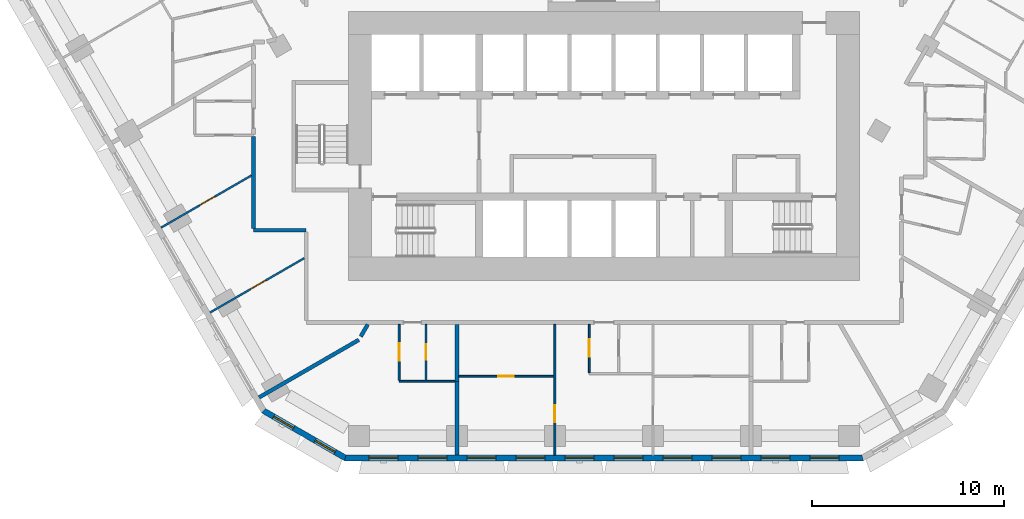
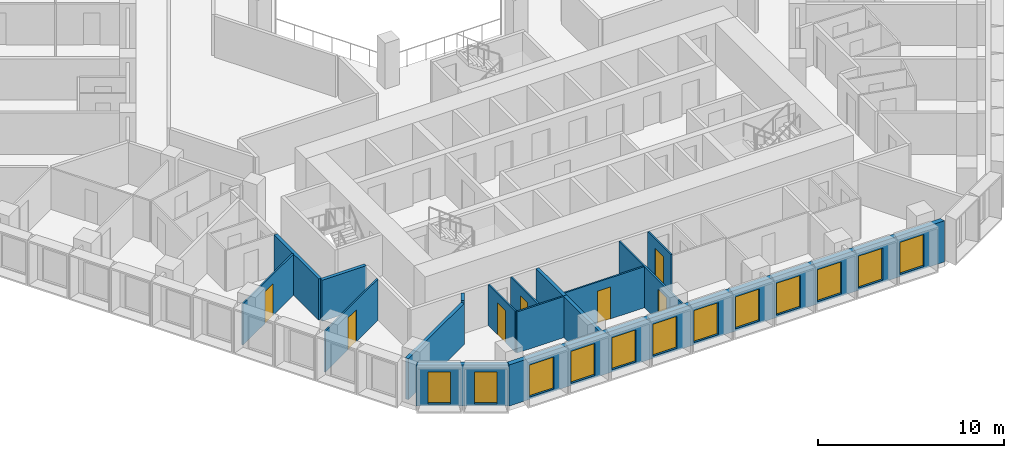
# One storey, part 3 of 21: 16 walls, 12 windows, 7 doors, 19 openings.
"""IFC4 building model written with IfcOpenShell, lengths in metres."""

from ifc_helpers import new_model, si_unit, direction, frame, frame_2d, origin, place, context, subcontext, project, spatial, polyline, rectangle, outline, extrude, material, layer, layer_set, type_object, element, fill, save


model = new_model("IFC4")

# Units and contexts
model_context = context("Model", 3, precision=1e-05, world=origin(), true_north=direction((0.0, 1.0)))
body_context = subcontext(model_context, "Body", "Model", "MODEL_VIEW")
ifc_project = project(units=[si_unit("LENGTHUNIT", "METRE"), si_unit("AREAUNIT", "SQUARE_METRE"), si_unit("VOLUMEUNIT", "CUBIC_METRE"), si_unit("PLANEANGLEUNIT", "RADIAN"), si_unit("MASSUNIT", "GRAM", prefix="KILO")], contexts=[model_context])

# Site, building, storey
site_placement = place(None, origin())
site = spatial("IfcSite", under=ifc_project, at=site_placement, CompositionType="ELEMENT")
building_placement = place(site_placement, origin())
building = spatial("IfcBuilding", under=site, at=building_placement, Name="Beryl Residences", CompositionType="ELEMENT")
storey_placement = place(building_placement, frame((0.0, 0.0, 47.39990234375)))
storey = spatial("IfcBuildingStorey", under=building, at=storey_placement, Name="L14", CompositionType="ELEMENT", Elevation=47.39990234375)

# Wall, openings, windows
ifc_material_1 = material(Name="Composite metal panel with mineral wool insulation")
ifc_layer_1 = layer(ifc_material_1, 0.300048828125)
ifc_layer_set_1 = layer_set([ifc_layer_1], Name="ES1 pale metal composite panel wall 300 mm")
wall_type_1 = type_object("IfcWallType", Name="ES1 pale metal composite panel wall 300 mm", PredefinedType="SOLIDWALL", material=ifc_layer_set_1)
wall_1_placement = place(storey_placement, frame((-17.764892578125, -25.77001953125, 0.0), z_axis=(0.0, 0.0, 1.0), x_axis=(0.866010750942, -0.50002537861, 0.0)))
wall_1 = element("IfcWall", 1, at=wall_1_placement, inside=storey, type_object=wall_type_1, Name="ES1 external wall L14 SW-S", PredefinedType="SOLIDWALL", context=body_context, shape_type="SweptSolid", body=[
    extrude(outline(polyline([(0.0, -0.14990234375), (4.999755859375, -0.14990234375), (4.91943359375, 0.14990234375), (0.080322265625, 0.14990234375), (0.0, -0.14990234375)])), origin(), (0.0, 0.0, 1.0), 2.7001953125),
])
opening_1_placement = place(wall_1_placement, frame((0.64990234375, 0.0, 0.14990234375)))
opening_1 = element("IfcOpeningElement", 2, at=opening_1_placement, cuts=wall_1, Name="Opening W2", PredefinedType="OPENING", context=body_context, shape_type="SweptSolid", body=[
    extrude(rectangle(XDim=1.199951171875, YDim=2.10009765625, at=frame_2d((0.60009765625, 1.050048828125))), frame((0.0, 0.159912109375, 0.0), z_axis=(0.0, -1.0, 0.0), x_axis=(1.0, 0.0, 0.0)), (0.0, 0.0, 1.0), 0.320068359375),
])
opening_2_placement = place(wall_1_placement, frame((3.14990234375, 0.0, 0.14990234375)))
opening_2 = element("IfcOpeningElement", 3, at=opening_2_placement, cuts=wall_1, Name="Opening W2", PredefinedType="OPENING", context=body_context, shape_type="SweptSolid", body=[
    extrude(rectangle(XDim=1.199951171875, YDim=2.10009765625, at=frame_2d((0.60009765625, 1.050048828125))), frame((0.0, 0.159912109375, 0.0), z_axis=(0.0, -1.0, 0.0), x_axis=(1.0, 0.0, 0.0)), (0.0, 0.0, 1.0), 0.320068359375),
])
ifc_material_2 = material(Name="Aluminium and clear glass", Category="aluminium")
window_type_1 = type_object("IfcWindowType", Name="W2 chamfer window 1200 x 2100 mm", PartitioningType="SINGLE_PANEL", PredefinedType="WINDOW", material=ifc_material_2)
window_1_placement = place(opening_1_placement, origin())
window_1 = element("IfcWindow", 4, at=window_1_placement, inside=storey, type_object=window_type_1, Name="W2 window L14 SW-S 1", OverallHeight=2.10009765625, OverallWidth=1.199951171875, PartitioningType="SINGLE_PANEL", PredefinedType="WINDOW", context=body_context, shape_type="SweptSolid", body=[
    extrude(rectangle(XDim=1.199951171875, YDim=2.10009765625, at=frame_2d((0.60009765625, 1.050048828125))), frame((0.0, 0.030029296875, 0.0), z_axis=(0.0, -1.0, 0.0), x_axis=(1.0, 0.0, 0.0)), (0.0, 0.0, 1.0), 0.06005859375),
])
fill(opening_1, window_1)
window_2_placement = place(opening_2_placement, origin())
window_2 = element("IfcWindow", 5, at=window_2_placement, inside=storey, type_object=window_type_1, Name="W2 window L14 SW-S 2", OverallHeight=2.10009765625, OverallWidth=1.199951171875, PartitioningType="SINGLE_PANEL", PredefinedType="WINDOW", context=body_context, shape_type="SweptSolid", body=[
    extrude(rectangle(XDim=1.199951171875, YDim=2.10009765625, at=frame_2d((0.60009765625, 1.050048828125))), frame((0.0, 0.030029296875, 0.0), z_axis=(0.0, -1.0, 0.0), x_axis=(1.0, 0.0, 0.0)), (0.0, 0.0, 1.0), 0.06005859375),
])
fill(opening_2, window_2)

wall_2_placement = place(storey_placement, frame((-13.510009765625, -28.25, 0.0), z_axis=(0.0, 0.0, 1.0), x_axis=(1.0, 0.0, 0.0)))
wall_2 = element("IfcWall", 6, at=wall_2_placement, inside=storey, type_object=wall_type_1, Name="ES1 external wall L14 S", PredefinedType="SOLIDWALL", context=body_context, shape_type="SweptSolid", body=[
    extrude(outline(polyline([(0.0, -0.14990234375), (27.02001953125, -0.14990234375), (26.939697265625, 0.14990234375), (0.080322265625, 0.14990234375), (0.0, -0.14990234375)])), origin(), (0.0, 0.0, 1.0), 2.7001953125),
])
opening_3_placement = place(wall_2_placement, frame((1.277099609375, 0.0, 0.14990234375)))
opening_3 = element("IfcOpeningElement", 7, at=opening_3_placement, cuts=wall_2, Name="Opening W1", PredefinedType="OPENING", context=body_context, shape_type="SweptSolid", body=[
    extrude(rectangle(XDim=1.5, YDim=2.10009765625, at=frame_2d((0.75, 1.050048828125))), frame((0.0, 0.159912109375, 0.0), z_axis=(0.0, -1.0, 0.0), x_axis=(1.0, 0.0, 0.0)), (0.0, 0.0, 1.0), 0.320068359375),
])
opening_4_placement = place(wall_2_placement, frame((3.8291015625, 0.0, 0.14990234375)))
opening_4 = element("IfcOpeningElement", 8, at=opening_4_placement, cuts=wall_2, Name="Opening W1", PredefinedType="OPENING", context=body_context, shape_type="SweptSolid", body=[
    extrude(rectangle(XDim=1.5, YDim=2.10009765625, at=frame_2d((0.75, 1.050048828125))), frame((0.0, 0.159912109375, 0.0), z_axis=(0.0, -1.0, 0.0), x_axis=(1.0, 0.0, 0.0)), (0.0, 0.0, 1.0), 0.320068359375),
])
opening_5_placement = place(wall_2_placement, frame((6.381103515625, 0.0, 0.14990234375)))
opening_5 = element("IfcOpeningElement", 9, at=opening_5_placement, cuts=wall_2, Name="Opening W1", PredefinedType="OPENING", context=body_context, shape_type="SweptSolid", body=[
    extrude(rectangle(XDim=1.5, YDim=2.10009765625, at=frame_2d((0.75, 1.050048828125))), frame((0.0, 0.159912109375, 0.0), z_axis=(0.0, -1.0, 0.0), x_axis=(1.0, 0.0, 0.0)), (0.0, 0.0, 1.0), 0.320068359375),
])
opening_6_placement = place(wall_2_placement, frame((8.93310546875, 0.0, 0.14990234375)))
opening_6 = element("IfcOpeningElement", 10, at=opening_6_placement, cuts=wall_2, Name="Opening W1", PredefinedType="OPENING", context=body_context, shape_type="SweptSolid", body=[
    extrude(rectangle(XDim=1.5, YDim=2.10009765625, at=frame_2d((0.75, 1.050048828125))), frame((0.0, 0.159912109375, 0.0), z_axis=(0.0, -1.0, 0.0), x_axis=(1.0, 0.0, 0.0)), (0.0, 0.0, 1.0), 0.320068359375),
])
opening_7_placement = place(wall_2_placement, frame((11.485107421875, 0.0, 0.14990234375)))
opening_7 = element("IfcOpeningElement", 11, at=opening_7_placement, cuts=wall_2, Name="Opening W1", PredefinedType="OPENING", context=body_context, shape_type="SweptSolid", body=[
    extrude(rectangle(XDim=1.5, YDim=2.10009765625, at=frame_2d((0.75, 1.050048828125))), frame((0.0, 0.159912109375, 0.0), z_axis=(0.0, -1.0, 0.0), x_axis=(1.0, 0.0, 0.0)), (0.0, 0.0, 1.0), 0.320068359375),
])
opening_8_placement = place(wall_2_placement, frame((14.037109375, 0.0, 0.14990234375)))
opening_8 = element("IfcOpeningElement", 12, at=opening_8_placement, cuts=wall_2, Name="Opening W1", PredefinedType="OPENING", context=body_context, shape_type="SweptSolid", body=[
    extrude(rectangle(XDim=1.5, YDim=2.10009765625, at=frame_2d((0.75, 1.050048828125))), frame((0.0, 0.159912109375, 0.0), z_axis=(0.0, -1.0, 0.0), x_axis=(1.0, 0.0, 0.0)), (0.0, 0.0, 1.0), 0.320068359375),
])
opening_9_placement = place(wall_2_placement, frame((16.589111328125, 0.0, 0.14990234375)))
opening_9 = element("IfcOpeningElement", 13, at=opening_9_placement, cuts=wall_2, Name="Opening W1", PredefinedType="OPENING", context=body_context, shape_type="SweptSolid", body=[
    extrude(rectangle(XDim=1.5, YDim=2.10009765625, at=frame_2d((0.75, 1.050048828125))), frame((0.0, 0.159912109375, 0.0), z_axis=(0.0, -1.0, 0.0), x_axis=(1.0, 0.0, 0.0)), (0.0, 0.0, 1.0), 0.320068359375),
])
opening_10_placement = place(wall_2_placement, frame((19.14111328125, 0.0, 0.14990234375)))
opening_10 = element("IfcOpeningElement", 14, at=opening_10_placement, cuts=wall_2, Name="Opening W1", PredefinedType="OPENING", context=body_context, shape_type="SweptSolid", body=[
    extrude(rectangle(XDim=1.5, YDim=2.10009765625, at=frame_2d((0.75, 1.050048828125))), frame((0.0, 0.159912109375, 0.0), z_axis=(0.0, -1.0, 0.0), x_axis=(1.0, 0.0, 0.0)), (0.0, 0.0, 1.0), 0.320068359375),
])
opening_11_placement = place(wall_2_placement, frame((21.693115234375, 0.0, 0.14990234375)))
opening_11 = element("IfcOpeningElement", 15, at=opening_11_placement, cuts=wall_2, Name="Opening W1", PredefinedType="OPENING", context=body_context, shape_type="SweptSolid", body=[
    extrude(rectangle(XDim=1.5, YDim=2.10009765625, at=frame_2d((0.75, 1.050048828125))), frame((0.0, 0.159912109375, 0.0), z_axis=(0.0, -1.0, 0.0), x_axis=(1.0, 0.0, 0.0)), (0.0, 0.0, 1.0), 0.320068359375),
])
opening_12_placement = place(wall_2_placement, frame((24.2451171875, 0.0, 0.14990234375)))
opening_12 = element("IfcOpeningElement", 16, at=opening_12_placement, cuts=wall_2, Name="Opening W1", PredefinedType="OPENING", context=body_context, shape_type="SweptSolid", body=[
    extrude(rectangle(XDim=1.5, YDim=2.10009765625, at=frame_2d((0.75, 1.050048828125))), frame((0.0, 0.159912109375, 0.0), z_axis=(0.0, -1.0, 0.0), x_axis=(1.0, 0.0, 0.0)), (0.0, 0.0, 1.0), 0.320068359375),
])
ifc_material_3 = material(Name="Aluminium and clear glass", Category="aluminium")
window_type_2 = type_object("IfcWindowType", Name="W1 cell window 1500 x 2100 mm", PartitioningType="SINGLE_PANEL", PredefinedType="WINDOW", material=ifc_material_3)
window_3_placement = place(opening_3_placement, origin())
window_3 = element("IfcWindow", 17, at=window_3_placement, inside=storey, type_object=window_type_2, Name="W1 window L14 S 1", OverallHeight=2.10009765625, OverallWidth=1.5, PartitioningType="SINGLE_PANEL", PredefinedType="WINDOW", context=body_context, shape_type="SweptSolid", body=[
    extrude(rectangle(XDim=1.5, YDim=2.10009765625, at=frame_2d((0.75, 1.050048828125))), frame((0.0, 0.030029296875, 0.0), z_axis=(0.0, -1.0, 0.0), x_axis=(1.0, 0.0, 0.0)), (0.0, 0.0, 1.0), 0.06005859375),
])
fill(opening_3, window_3)
window_4_placement = place(opening_4_placement, origin())
window_4 = element("IfcWindow", 18, at=window_4_placement, inside=storey, type_object=window_type_2, Name="W1 window L14 S 2", OverallHeight=2.10009765625, OverallWidth=1.5, PartitioningType="SINGLE_PANEL", PredefinedType="WINDOW", context=body_context, shape_type="SweptSolid", body=[
    extrude(rectangle(XDim=1.5, YDim=2.10009765625, at=frame_2d((0.75, 1.050048828125))), frame((0.0, 0.030029296875, 0.0), z_axis=(0.0, -1.0, 0.0), x_axis=(1.0, 0.0, 0.0)), (0.0, 0.0, 1.0), 0.06005859375),
])
fill(opening_4, window_4)
window_5_placement = place(opening_5_placement, origin())
window_5 = element("IfcWindow", 19, at=window_5_placement, inside=storey, type_object=window_type_2, Name="W1 window L14 S 3", OverallHeight=2.10009765625, OverallWidth=1.5, PartitioningType="SINGLE_PANEL", PredefinedType="WINDOW", context=body_context, shape_type="SweptSolid", body=[
    extrude(rectangle(XDim=1.5, YDim=2.10009765625, at=frame_2d((0.75, 1.050048828125))), frame((0.0, 0.030029296875, 0.0), z_axis=(0.0, -1.0, 0.0), x_axis=(1.0, 0.0, 0.0)), (0.0, 0.0, 1.0), 0.06005859375),
])
fill(opening_5, window_5)
window_6_placement = place(opening_6_placement, origin())
window_6 = element("IfcWindow", 20, at=window_6_placement, inside=storey, type_object=window_type_2, Name="W1 window L14 S 4", OverallHeight=2.10009765625, OverallWidth=1.5, PartitioningType="SINGLE_PANEL", PredefinedType="WINDOW", context=body_context, shape_type="SweptSolid", body=[
    extrude(rectangle(XDim=1.5, YDim=2.10009765625, at=frame_2d((0.75, 1.050048828125))), frame((0.0, 0.030029296875, 0.0), z_axis=(0.0, -1.0, 0.0), x_axis=(1.0, 0.0, 0.0)), (0.0, 0.0, 1.0), 0.06005859375),
])
fill(opening_6, window_6)
window_7_placement = place(opening_7_placement, origin())
window_7 = element("IfcWindow", 21, at=window_7_placement, inside=storey, type_object=window_type_2, Name="W1 window L14 S 5", OverallHeight=2.10009765625, OverallWidth=1.5, PartitioningType="SINGLE_PANEL", PredefinedType="WINDOW", context=body_context, shape_type="SweptSolid", body=[
    extrude(rectangle(XDim=1.5, YDim=2.10009765625, at=frame_2d((0.75, 1.050048828125))), frame((0.0, 0.030029296875, 0.0), z_axis=(0.0, -1.0, 0.0), x_axis=(1.0, 0.0, 0.0)), (0.0, 0.0, 1.0), 0.06005859375),
])
fill(opening_7, window_7)
window_8_placement = place(opening_8_placement, origin())
window_8 = element("IfcWindow", 22, at=window_8_placement, inside=storey, type_object=window_type_2, Name="W1 window L14 S 6", OverallHeight=2.10009765625, OverallWidth=1.5, PartitioningType="SINGLE_PANEL", PredefinedType="WINDOW", context=body_context, shape_type="SweptSolid", body=[
    extrude(rectangle(XDim=1.5, YDim=2.10009765625, at=frame_2d((0.75, 1.050048828125))), frame((0.0, 0.030029296875, 0.0), z_axis=(0.0, -1.0, 0.0), x_axis=(1.0, 0.0, 0.0)), (0.0, 0.0, 1.0), 0.06005859375),
])
fill(opening_8, window_8)
window_9_placement = place(opening_9_placement, origin())
window_9 = element("IfcWindow", 23, at=window_9_placement, inside=storey, type_object=window_type_2, Name="W1 window L14 S 7", OverallHeight=2.10009765625, OverallWidth=1.5, PartitioningType="SINGLE_PANEL", PredefinedType="WINDOW", context=body_context, shape_type="SweptSolid", body=[
    extrude(rectangle(XDim=1.5, YDim=2.10009765625, at=frame_2d((0.75, 1.050048828125))), frame((0.0, 0.030029296875, 0.0), z_axis=(0.0, -1.0, 0.0), x_axis=(1.0, 0.0, 0.0)), (0.0, 0.0, 1.0), 0.06005859375),
])
fill(opening_9, window_9)
window_10_placement = place(opening_10_placement, origin())
window_10 = element("IfcWindow", 24, at=window_10_placement, inside=storey, type_object=window_type_2, Name="W1 window L14 S 8", OverallHeight=2.10009765625, OverallWidth=1.5, PartitioningType="SINGLE_PANEL", PredefinedType="WINDOW", context=body_context, shape_type="SweptSolid", body=[
    extrude(rectangle(XDim=1.5, YDim=2.10009765625, at=frame_2d((0.75, 1.050048828125))), frame((0.0, 0.030029296875, 0.0), z_axis=(0.0, -1.0, 0.0), x_axis=(1.0, 0.0, 0.0)), (0.0, 0.0, 1.0), 0.06005859375),
])
fill(opening_10, window_10)
window_11_placement = place(opening_11_placement, origin())
window_11 = element("IfcWindow", 25, at=window_11_placement, inside=storey, type_object=window_type_2, Name="W1 window L14 S 9", OverallHeight=2.10009765625, OverallWidth=1.5, PartitioningType="SINGLE_PANEL", PredefinedType="WINDOW", context=body_context, shape_type="SweptSolid", body=[
    extrude(rectangle(XDim=1.5, YDim=2.10009765625, at=frame_2d((0.75, 1.050048828125))), frame((0.0, 0.030029296875, 0.0), z_axis=(0.0, -1.0, 0.0), x_axis=(1.0, 0.0, 0.0)), (0.0, 0.0, 1.0), 0.06005859375),
])
fill(opening_11, window_11)
window_12_placement = place(opening_12_placement, origin())
window_12 = element("IfcWindow", 26, at=window_12_placement, inside=storey, type_object=window_type_2, Name="W1 window L14 S 10", OverallHeight=2.10009765625, OverallWidth=1.5, PartitioningType="SINGLE_PANEL", PredefinedType="WINDOW", context=body_context, shape_type="SweptSolid", body=[
    extrude(rectangle(XDim=1.5, YDim=2.10009765625, at=frame_2d((0.75, 1.050048828125))), frame((0.0, 0.030029296875, 0.0), z_axis=(0.0, -1.0, 0.0), x_axis=(1.0, 0.0, 0.0)), (0.0, 0.0, 1.0), 0.06005859375),
])
fill(opening_12, window_12)

# Wall, opening, door
ifc_material_4 = material(Name="Gypsum board partition on steel studs", Category="steel")
ifc_layer_2 = layer(ifc_material_4, 0.10009765625)
ifc_layer_set_2 = layer_set([ifc_layer_2], Name="PT1 partition 100 mm gypsum board on steel studs")
wall_type_2 = type_object("IfcWallType", Name="PT1 partition 100 mm gypsum board on steel studs", PredefinedType="PARTITIONING", material=ifc_layer_set_2)
wall_3_placement = place(storey_placement, frame((-0.764892578125, -21.300048828125, 0.0), z_axis=(0.0, 0.0, 1.0), x_axis=(0.0, -1.0, 0.0)))
wall_3 = element("IfcWall", 27, at=wall_3_placement, inside=storey, type_object=wall_type_2, Name="Wall PT1 L14 010", PredefinedType="PARTITIONING", context=body_context, shape_type="SweptSolid", body=[
    extrude(rectangle(XDim=2.509033203125, YDim=0.10009765625, at=frame_2d((1.25439453125, 0.0))), origin(), (0.0, 0.0, 1.0), 2.7001953125),
])
opening_13_placement = place(wall_3_placement, frame((0.780029296875, 0.0, 0.0)))
opening_13 = element("IfcOpeningElement", 28, at=opening_13_placement, cuts=wall_3, Name="Opening D0227", PredefinedType="OPENING", context=body_context, shape_type="SweptSolid", body=[
    extrude(rectangle(XDim=0.89990234375, YDim=2.10009765625, at=frame_2d((0.449951171875, 1.050048828125))), frame((0.0, 0.06005859375, 0.0), z_axis=(0.0, -1.0, 0.0), x_axis=(1.0, 0.0, 0.0)), (0.0, 0.0, 1.0), 0.1201171875),
])
ifc_material_5 = material(Name="Timber door leaf", Category="wood")
door_type_1 = type_object("IfcDoorType", Name="D2 room door 900 x 2100 mm", OperationType="SINGLE_SWING_LEFT", PredefinedType="DOOR", material=ifc_material_5)
door_1_placement = place(opening_13_placement, origin())
door_1 = element("IfcDoor", 29, at=door_1_placement, inside=storey, type_object=door_type_1, Name="Door D0227 L14 001", OperationType="SINGLE_SWING_LEFT", OverallHeight=2.10009765625, OverallWidth=0.89990234375, PredefinedType="DOOR", context=body_context, shape_type="SweptSolid", body=[
    extrude(rectangle(XDim=0.89990234375, YDim=2.10009765625, at=frame_2d((0.449951171875, 1.050048828125))), frame((0.0, 0.02490234375, 0.0), z_axis=(0.0, -1.0, 0.0), x_axis=(1.0, 0.0, 0.0)), (0.0, 0.0, 1.0), 0.050048828125),
])
fill(opening_13, door_1)

wall_4_placement = place(storey_placement, frame((-10.6650390625, -21.300048828125, 0.0), z_axis=(0.0, 0.0, 1.0), x_axis=(0.0, -1.0, 0.0)))
wall_4 = element("IfcWall", 30, at=wall_4_placement, inside=storey, type_object=wall_type_2, Name="Wall PT1 L14 011", PredefinedType="PARTITIONING", context=body_context, shape_type="SweptSolid", body=[
    extrude(rectangle(XDim=2.908935546875, YDim=0.10009765625, at=frame_2d((1.45458984375, 0.0))), origin(), (0.0, 0.0, 1.0), 2.7001953125),
])
opening_14_placement = place(wall_4_placement, frame((0.97998046875, 0.0, 0.0)))
opening_14 = element("IfcOpeningElement", 31, at=opening_14_placement, cuts=wall_4, Name="Opening D0224", PredefinedType="OPENING", context=body_context, shape_type="SweptSolid", body=[
    extrude(rectangle(XDim=0.89990234375, YDim=2.10009765625, at=frame_2d((0.449951171875, 1.050048828125))), frame((0.0, 0.06005859375, 0.0), z_axis=(0.0, -1.0, 0.0), x_axis=(1.0, 0.0, 0.0)), (0.0, 0.0, 1.0), 0.1201171875),
])
door_2_placement = place(opening_14_placement, origin())
door_2 = element("IfcDoor", 32, at=door_2_placement, inside=storey, type_object=door_type_1, Name="Door D0224 L14 001", OperationType="SINGLE_SWING_RIGHT", OverallHeight=2.10009765625, OverallWidth=0.89990234375, PredefinedType="DOOR", context=body_context, shape_type="SweptSolid", body=[
    extrude(rectangle(XDim=0.89990234375, YDim=2.10009765625, at=frame_2d((0.449951171875, 1.050048828125))), frame((0.0, 0.02490234375, 0.0), z_axis=(0.0, -1.0, 0.0), x_axis=(1.0, 0.0, 0.0)), (0.0, 0.0, 1.0), 0.050048828125),
])
fill(opening_14, door_2)

wall_5_placement = place(storey_placement, frame((-7.554931640625, -24.0, 0.0), z_axis=(0.0, 0.0, 1.0), x_axis=(1.0, 0.0, 0.0)))
wall_5 = element("IfcWall", 33, at=wall_5_placement, inside=storey, type_object=wall_type_2, Name="Wall PT1 L14 031", PredefinedType="PARTITIONING", context=body_context, shape_type="SweptSolid", body=[
    extrude(rectangle(XDim=4.953857421875, YDim=0.10009765625, at=frame_2d((2.47705078125, 0.0))), origin(), (0.0, 0.0, 1.0), 2.7001953125),
])
opening_15_placement = place(wall_5_placement, frame((2.052001953125, 0.0, 0.0)))
opening_15 = element("IfcOpeningElement", 34, at=opening_15_placement, cuts=wall_5, Name="Opening D0231", PredefinedType="OPENING", context=body_context, shape_type="SweptSolid", body=[
    extrude(rectangle(XDim=0.800048828125, YDim=2.10009765625, at=frame_2d((0.39990234375, 1.050048828125))), frame((0.0, 0.06005859375, 0.0), z_axis=(0.0, -1.0, 0.0), x_axis=(1.0, 0.0, 0.0)), (0.0, 0.0, 1.0), 0.1201171875),
])
ifc_material_6 = material(Name="Timber door leaf", Category="wood")
door_type_2 = type_object("IfcDoorType", Name="D3 bathroom door 800 x 2100 mm", OperationType="SINGLE_SWING_LEFT", PredefinedType="DOOR", material=ifc_material_6)
door_3_placement = place(opening_15_placement, origin())
door_3 = element("IfcDoor", 35, at=door_3_placement, inside=storey, type_object=door_type_2, Name="Door D0231 L14 001", OperationType="SINGLE_SWING_LEFT", OverallHeight=2.10009765625, OverallWidth=0.800048828125, PredefinedType="DOOR", context=body_context, shape_type="SweptSolid", body=[
    extrude(rectangle(XDim=0.800048828125, YDim=2.10009765625, at=frame_2d((0.39990234375, 1.050048828125))), frame((0.0, 0.02490234375, 0.0), z_axis=(0.0, -1.0, 0.0), x_axis=(1.0, 0.0, 0.0)), (0.0, 0.0, 1.0), 0.050048828125),
])
fill(opening_15, door_3)

# Wall
wall_6_placement = place(storey_placement, frame((-10.6640625, -24.260009765625, 0.0), z_axis=(0.0, 0.0, 1.0), x_axis=(1.0, 0.0, 0.0)))
element("IfcWall", 36, at=wall_6_placement, inside=storey, type_object=wall_type_2, Name="Wall PT1 L14 033", PredefinedType="PARTITIONING", context=body_context, shape_type="SweptSolid", body=[
    extrude(rectangle(XDim=2.9091796875, YDim=0.10009765625, at=frame_2d((1.45458984375, 0.0))), origin(), (0.0, 0.0, 1.0), 2.7001953125),
])

# Wall, opening, door
wall_7_placement = place(storey_placement, frame((-9.264892578125, -24.2099609375, 0.0), z_axis=(0.0, 0.0, 1.0), x_axis=(0.0, 1.0, 0.0)))
wall_7 = element("IfcWall", 37, at=wall_7_placement, inside=storey, type_object=wall_type_2, Name="Wall PT1 L14 058", PredefinedType="PARTITIONING", context=body_context, shape_type="SweptSolid", body=[
    extrude(rectangle(XDim=2.909912109375, YDim=0.10009765625, at=frame_2d((1.455078125, 0.0))), origin(), (0.0, 0.0, 1.0), 2.7001953125),
])
opening_16_placement = place(wall_7_placement, frame((1.080078125, 0.0, 0.0)))
opening_16 = element("IfcOpeningElement", 38, at=opening_16_placement, cuts=wall_7, Name="Opening D0225", PredefinedType="OPENING", context=body_context, shape_type="SweptSolid", body=[
    extrude(rectangle(XDim=0.800048828125, YDim=2.10009765625, at=frame_2d((0.39990234375, 1.050048828125))), frame((0.0, 0.06005859375, 0.0), z_axis=(0.0, -1.0, 0.0), x_axis=(1.0, 0.0, 0.0)), (0.0, 0.0, 1.0), 0.1201171875),
])
door_4_placement = place(opening_16_placement, origin())
door_4 = element("IfcDoor", 39, at=door_4_placement, inside=storey, type_object=door_type_2, Name="Door D0225 L14 001", OperationType="SINGLE_SWING_LEFT", OverallHeight=2.10009765625, OverallWidth=0.800048828125, PredefinedType="DOOR", context=body_context, shape_type="SweptSolid", body=[
    extrude(rectangle(XDim=0.800048828125, YDim=2.10009765625, at=frame_2d((0.39990234375, 1.050048828125))), frame((0.0, 0.02490234375, 0.0), z_axis=(0.0, -1.0, 0.0), x_axis=(1.0, 0.0, 0.0)), (0.0, 0.0, 1.0), 0.050048828125),
])
fill(opening_16, door_4)

wall_8_placement = place(storey_placement, frame((-2.551025390625, -28.10009765625, 0.0), z_axis=(0.0, 0.0, 1.0), x_axis=(0.0, 1.0, 0.0)))
wall_8 = element("IfcWall", 40, at=wall_8_placement, inside=storey, type_object=wall_type_2, Name="Wall PT1 L14 061", PredefinedType="PARTITIONING", context=body_context, shape_type="SweptSolid", body=[
    extrude(rectangle(XDim=6.800048828125, YDim=0.10009765625, at=frame_2d((3.39990234375, 0.0))), origin(), (0.0, 0.0, 1.0), 2.7001953125),
])
opening_17_placement = place(wall_8_placement, frame((1.699951171875, 0.0, 0.0)))
opening_17 = element("IfcOpeningElement", 41, at=opening_17_placement, cuts=wall_8, Name="Opening D0230", PredefinedType="OPENING", context=body_context, shape_type="SweptSolid", body=[
    extrude(rectangle(XDim=0.89990234375, YDim=2.10009765625, at=frame_2d((0.449951171875, 1.050048828125))), frame((0.0, 0.06005859375, 0.0), z_axis=(0.0, -1.0, 0.0), x_axis=(1.0, 0.0, 0.0)), (0.0, 0.0, 1.0), 0.1201171875),
])
door_5_placement = place(opening_17_placement, origin())
door_5 = element("IfcDoor", 42, at=door_5_placement, inside=storey, type_object=door_type_1, Name="Door D0230 L14 001", OperationType="SINGLE_SWING_RIGHT", OverallHeight=2.10009765625, OverallWidth=0.89990234375, PredefinedType="DOOR", context=body_context, shape_type="SweptSolid", body=[
    extrude(rectangle(XDim=0.89990234375, YDim=2.10009765625, at=frame_2d((0.449951171875, 1.050048828125))), frame((0.0, 0.02490234375, 0.0), z_axis=(0.0, -1.0, 0.0), x_axis=(1.0, 0.0, 0.0)), (0.0, 0.0, 1.0), 0.050048828125),
])
fill(opening_17, door_5)

wall_9_placement = place(storey_placement, frame((-20.507080078125, -20.680908203125, 0.0), z_axis=(0.0, 0.0, 1.0), x_axis=(0.866028446103, 0.499994730513, 0.0)))
wall_9 = element("IfcWall", 43, at=wall_9_placement, inside=storey, type_object=wall_type_2, Name="Wall PT1 L14 064", PredefinedType="PARTITIONING", context=body_context, shape_type="SweptSolid", body=[
    extrude(rectangle(XDim=5.666015625, YDim=0.10009765625, at=frame_2d((2.8330078125, 0.0))), origin(), (0.0, 0.0, 1.0), 2.7001953125),
])
opening_18_placement = place(wall_9_placement, frame((2.43994140625, 0.0, 0.0)))
opening_18 = element("IfcOpeningElement", 44, at=opening_18_placement, cuts=wall_9, Name="Opening D0222", PredefinedType="OPENING", context=body_context, shape_type="SweptSolid", body=[
    extrude(rectangle(XDim=0.89990234375, YDim=2.10009765625, at=frame_2d((0.449951171875, 1.050048828125))), frame((0.0, 0.06005859375, 0.0), z_axis=(0.0, -1.0, 0.0), x_axis=(1.0, 0.0, 0.0)), (0.0, 0.0, 1.0), 0.1201171875),
])
door_6_placement = place(opening_18_placement, origin())
door_6 = element("IfcDoor", 45, at=door_6_placement, inside=storey, type_object=door_type_1, Name="Door D0222 L14 001", OperationType="SINGLE_SWING_RIGHT", OverallHeight=2.10009765625, OverallWidth=0.89990234375, PredefinedType="DOOR", context=body_context, shape_type="SweptSolid", body=[
    extrude(rectangle(XDim=0.89990234375, YDim=2.10009765625, at=frame_2d((0.449951171875, 1.050048828125))), frame((0.0, 0.02490234375, 0.0), z_axis=(0.0, -1.0, 0.0), x_axis=(1.0, 0.0, 0.0)), (0.0, 0.0, 1.0), 0.050048828125),
])
fill(opening_18, door_6)

wall_10_placement = place(storey_placement, frame((-23.05908203125, -16.260986328125, 0.0), z_axis=(0.0, 0.0, 1.0), x_axis=(0.866004639177, 0.500035963631, 0.0)))
wall_10 = element("IfcWall", 46, at=wall_10_placement, inside=storey, type_object=wall_type_2, Name="Wall PT1 L14 066", PredefinedType="PARTITIONING", context=body_context, shape_type="SweptSolid", body=[
    extrude(rectangle(XDim=5.4375, YDim=0.10009765625, at=frame_2d((2.71875, 0.0))), origin(), (0.0, 0.0, 1.0), 2.7001953125),
])
opening_19_placement = place(wall_10_placement, frame((2.325927734375, 0.0, 0.0)))
opening_19 = element("IfcOpeningElement", 47, at=opening_19_placement, cuts=wall_10, Name="Opening D0221", PredefinedType="OPENING", context=body_context, shape_type="SweptSolid", body=[
    extrude(rectangle(XDim=0.89990234375, YDim=2.10009765625, at=frame_2d((0.449951171875, 1.050048828125))), frame((0.0, 0.06005859375, 0.0), z_axis=(0.0, -1.0, 0.0), x_axis=(1.0, 0.0, 0.0)), (0.0, 0.0, 1.0), 0.1201171875),
])
door_7_placement = place(opening_19_placement, origin())
door_7 = element("IfcDoor", 48, at=door_7_placement, inside=storey, type_object=door_type_1, Name="Door D0221 L14 001", OperationType="SINGLE_SWING_LEFT", OverallHeight=2.10009765625, OverallWidth=0.89990234375, PredefinedType="DOOR", context=body_context, shape_type="SweptSolid", body=[
    extrude(rectangle(XDim=0.89990234375, YDim=2.10009765625, at=frame_2d((0.449951171875, 1.050048828125))), frame((0.0, 0.02490234375, 0.0), z_axis=(0.0, -1.0, 0.0), x_axis=(1.0, 0.0, 0.0)), (0.0, 0.0, 1.0), 0.050048828125),
])
fill(opening_19, door_7)

# Walls
ifc_material_7 = material(Name="Acoustic double stud gypsum board wall")
ifc_layer_3 = layer(ifc_material_7, 0.199951171875)
ifc_layer_set_3 = layer_set([ifc_layer_3], Name="PT3 party wall 200 mm acoustic double stud")
wall_type_3 = type_object("IfcWallType", Name="PT3 party wall 200 mm acoustic double stud", PredefinedType="PARTITIONING", material=ifc_layer_set_3)
wall_11_placement = place(storey_placement, frame((-7.655029296875, -24.260009765625, 0.0), z_axis=(0.0, 0.0, 1.0), x_axis=(0.0, -1.0, 0.0)))
element("IfcWall", 49, at=wall_11_placement, inside=storey, type_object=wall_type_3, Name="Wall PT3 L14 003", PredefinedType="PARTITIONING", context=body_context, shape_type="SweptSolid", body=[
    extrude(rectangle(XDim=3.840087890625, YDim=0.199951171875, at=frame_2d((1.919921875, 0.0))), origin(), (0.0, 0.0, 1.0), 2.7001953125),
])
wall_12_placement = place(storey_placement, frame((-12.660888671875, -21.928955078125, 0.0), z_axis=(0.0, 0.0, 1.0), x_axis=(0.499683639304, 0.866207977689, 0.0)))
element("IfcWall", 50, at=wall_12_placement, inside=storey, type_object=wall_type_3, Name="Wall PT3 L14 016", PredefinedType="PARTITIONING", context=body_context, shape_type="SweptSolid", body=[
    extrude(rectangle(XDim=0.72607421875, YDim=0.199951171875, at=frame_2d((0.363037109375, 0.0))), origin(), (0.0, 0.0, 1.0), 2.7001953125),
])
wall_13_placement = place(storey_placement, frame((-7.655029296875, -24.260009765625, 0.0), z_axis=(0.0, 0.0, 1.0), x_axis=(0.0, 1.0, 0.0)))
element("IfcWall", 51, at=wall_13_placement, inside=storey, type_object=wall_type_3, Name="Wall PT3 L14 020", PredefinedType="PARTITIONING", context=body_context, shape_type="SweptSolid", body=[
    extrude(rectangle(XDim=2.9599609375, YDim=0.199951171875, at=frame_2d((1.47998046875, 0.0))), origin(), (0.0, 0.0, 1.0), 2.7001953125),
])
wall_14_placement = place(storey_placement, frame((-17.955078125, -25.10107421875, 0.0), z_axis=(0.0, 0.0, 1.0), x_axis=(0.866080519133, 0.499904525262, 0.0)))
element("IfcWall", 52, at=wall_14_placement, inside=storey, type_object=wall_type_3, Name="Wall PT3 L14 024", PredefinedType="PARTITIONING", context=body_context, shape_type="SweptSolid", body=[
    extrude(rectangle(XDim=5.997314453125, YDim=0.199951171875, at=frame_2d((2.99853515625, 0.0))), origin(), (0.0, 0.0, 1.0), 2.7001953125),
])
ifc_material_8 = material(Name="Double stud gypsum board wall")
ifc_layer_4 = layer(ifc_material_8, 0.199951171875)
ifc_layer_set_4 = layer_set([ifc_layer_4], Name="PT4 corridor wall 200 mm double stud")
wall_type_4 = type_object("IfcWallType", Name="PT4 corridor wall 200 mm double stud", PredefinedType="PARTITIONING", material=ifc_layer_set_4)
wall_15_placement = place(storey_placement, frame((-18.25, -11.507080078125, 0.0), z_axis=(0.0, 0.0, 1.0), x_axis=(0.0, -1.0, 0.0)))
element("IfcWall", 53, at=wall_15_placement, inside=storey, type_object=wall_type_4, Name="Wall PT4 L14 008", PredefinedType="PARTITIONING", context=body_context, shape_type="SweptSolid", body=[
    extrude(rectangle(XDim=4.7919921875, YDim=0.199951171875, at=frame_2d((2.39599609375, 0.0))), origin(), (0.0, 0.0, 1.0), 2.7001953125),
])
wall_16_placement = place(storey_placement, frame((-18.2490234375, -16.39990234375, 0.0), z_axis=(0.0, 0.0, 1.0), x_axis=(1.0, 0.0, 0.0)))
element("IfcWall", 54, at=wall_16_placement, inside=storey, type_object=wall_type_4, Name="Wall PT4 L14 013", PredefinedType="PARTITIONING", context=body_context, shape_type="SweptSolid", body=[
    extrude(rectangle(XDim=2.7490234375, YDim=0.199951171875, at=frame_2d((1.37451171875, 0.0))), origin(), (0.0, 0.0, 1.0), 2.7001953125),
])

save(model, "model.ifc")
